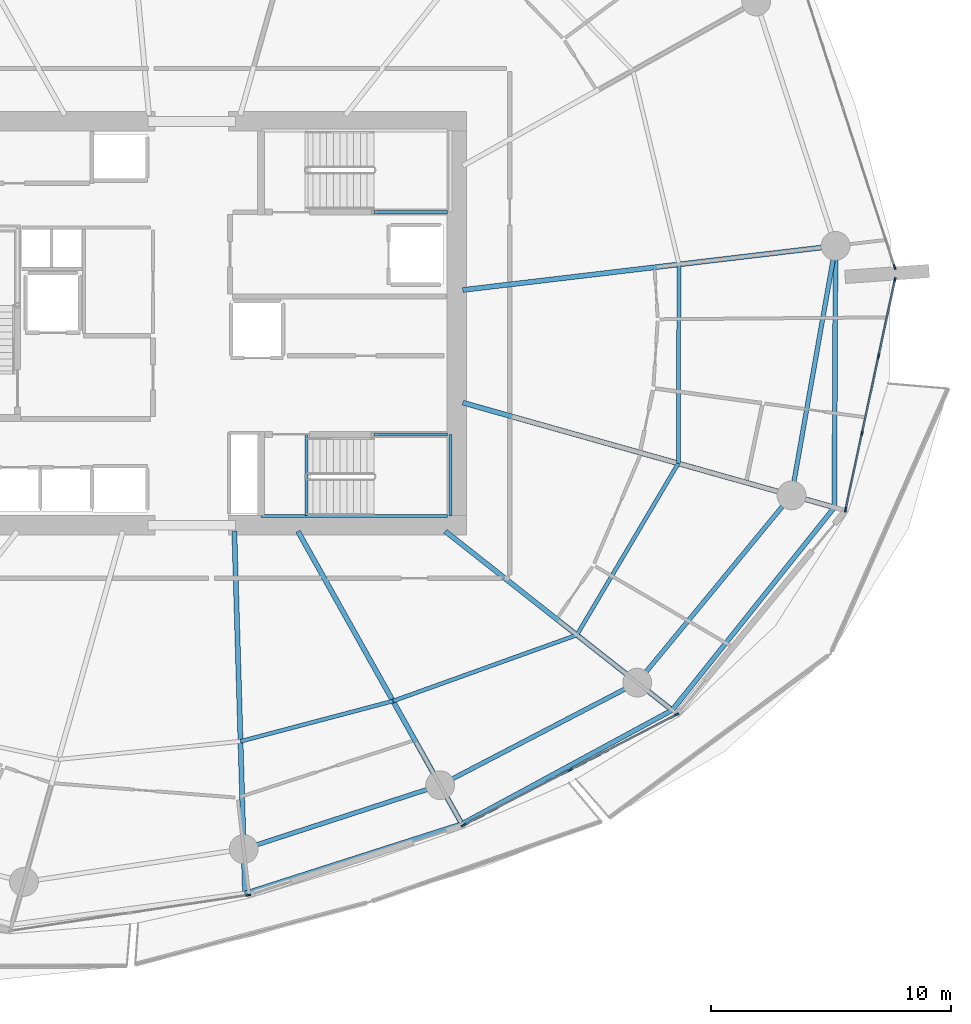
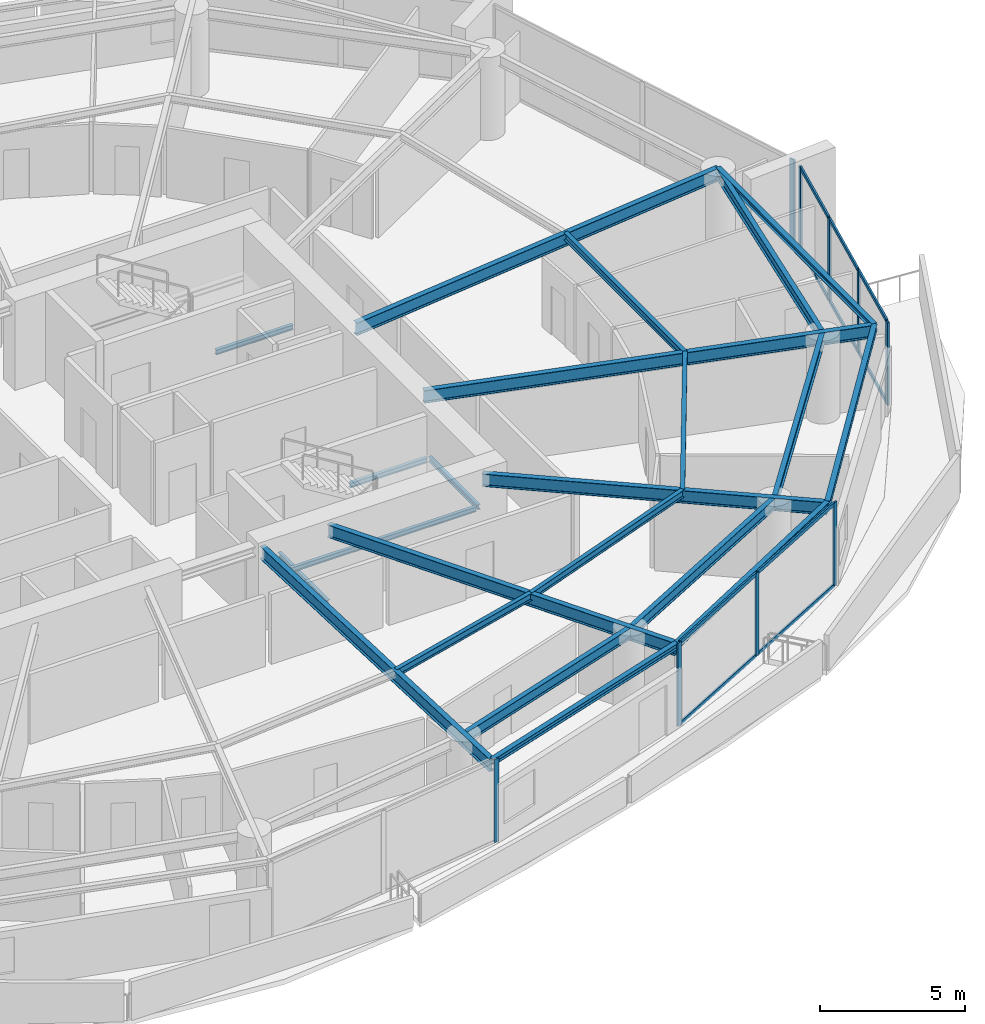
# One storey, part 7 of 22: 22 beams, 19 members, 4 elements without a shape of their own.
"""IFC4 building model written with IfcOpenShell, lengths in metres."""

import ifcopenshell
import ifcopenshell.guid

model = None  # the IFC model being written
_history = None  # IfcOwnerHistory: only IFC2X3 demands one
_inside = {}  # id of a spatial element -> (the spatial element, [elements in it])
_under = {}  # id of a project, library or spatial element -> (it, [spatial elements below it])
_declared = {}  # id of a project -> (the project, [libraries it declares])
_typed = {}  # id of a type object -> (the type object, [elements of that type])
_made_of = {}  # id of a material, layer set ... -> (it, [elements and type objects made of it])


def new_model(schema):
    """Start an empty IFC model of exactly this schema.

    Asked for "IFC4X3", IfcOpenShell would pick the latest addendum, in which some entities
    have other attributes; the version numbers below select the first issue.
    IFC2X3 requires an IfcOwnerHistory on every rooted entity: one is made here for all.
    """
    global model, _history
    if schema == "IFC4X3":
        model = ifcopenshell.file(schema_version=(4, 3, 0, 0))
    else:
        model = ifcopenshell.file(schema=schema)
    _inside.clear()
    _under.clear()
    _declared.clear()
    _typed.clear()
    _made_of.clear()
    _history = None
    if model.schema == "IFC2X3":
        org = make("IfcOrganization", Name="unknown")
        user = make(
            "IfcPersonAndOrganization",
            ThePerson=make("IfcPerson", FamilyName="unknown"),
            TheOrganization=org,
        )
        app = make(
            "IfcApplication",
            ApplicationDeveloper=org,
            Version="unknown",
            ApplicationFullName="unknown",
            ApplicationIdentifier="unknown",
        )
        _history = make(
            "IfcOwnerHistory",
            OwningUser=user,
            OwningApplication=app,
            ChangeAction="ADDED",
            CreationDate=0,
        )
    return model


def make(cls, **values):
    """One entity of the class cls with the attributes given. An attribute that is None is left unset."""
    return model.create_entity(
        cls, **{name: value for name, value in values.items() if value is not None}
    )


def rooted(cls, **values):
    """An entity with a GlobalId (a new one), such as an element, a storey or a relation."""
    return make(cls, GlobalId=ifcopenshell.guid.new(), OwnerHistory=_history, **values)


def si_unit(unit_type, name, prefix=None):
    """IfcSIUnit, for example si_unit("LENGTHUNIT", "METRE", prefix="MILLI")."""
    return make("IfcSIUnit", UnitType=unit_type, Prefix=prefix, Name=name)


def assignment(units):
    """IfcUnitAssignment: the units of a project."""
    return None if units is None else make("IfcUnitAssignment", Units=units)


def point(xyz):
    """IfcCartesianPoint."""
    return None if xyz is None else make("IfcCartesianPoint", Coordinates=xyz)


def direction(xyz):
    """IfcDirection."""
    return None if xyz is None else make("IfcDirection", DirectionRatios=xyz)


def frame(location, z_axis=None, x_axis=None):
    """IfcAxis2Placement3D, a coordinate frame: its origin and axes. An axis left out is left unset."""
    return make(
        "IfcAxis2Placement3D",
        Location=point(location),
        Axis=direction(z_axis),
        RefDirection=direction(x_axis),
    )


def frame_2d(location, x_axis=None):
    """IfcAxis2Placement2D, a coordinate frame in the plane: its origin and x axis."""
    return make(
        "IfcAxis2Placement2D", Location=point(location), RefDirection=direction(x_axis)
    )


def origin():
    """The frame at (0, 0, 0) with its axes left unset."""
    return frame((0.0, 0.0, 0.0))


def origin_2d():
    """The frame at (0, 0) in the plane with its x axis left unset."""
    return frame_2d((0.0, 0.0))


def place(relative_to, where):
    """IfcLocalPlacement: puts the frame where relative to a parent placement (None: the world)."""
    return make(
        "IfcLocalPlacement", PlacementRelTo=relative_to, RelativePlacement=where
    )


def context(
    kind, dimensions, precision=None, world=None, true_north=None, identifier=None
):
    """IfcGeometricRepresentationContext, for example the 3D "Model" context."""
    return make(
        "IfcGeometricRepresentationContext",
        ContextIdentifier=identifier,
        ContextType=kind,
        CoordinateSpaceDimension=dimensions,
        Precision=precision,
        WorldCoordinateSystem=world,
        TrueNorth=true_north,
    )


def subcontext(parent, identifier, kind, view, scale=None):
    """IfcGeometricRepresentationSubContext, for example "Body" below "Model"."""
    return make(
        "IfcGeometricRepresentationSubContext",
        ContextIdentifier=identifier,
        ContextType=kind,
        ParentContext=parent,
        TargetScale=scale,
        TargetView=view,
    )


def project(units=None, contexts=None):
    """IfcProject with its units and contexts."""
    return rooted(
        "IfcProject",
        Name="project",
        RepresentationContexts=contexts,
        UnitsInContext=assignment(units),
    )


def spatial(cls, under=None, at=None, **own):
    """A site, building, storey or space (cls), placed at a placement, below another one or the project."""
    s = rooted(cls, ObjectPlacement=at, **own)
    if under is not None:
        _under.setdefault(under.id(), (under, []))[1].append(s)
    return s


def profile(cls, at=None, kind="AREA", **sizes):
    """A parametric profile (cls). Its sizes go by their IFC names, for example OverallWidth=200.0."""
    return make(cls, ProfileType=kind, Position=at, **sizes)


def rectangle(**sizes):
    """IfcRectangleProfileDef."""
    return profile("IfcRectangleProfileDef", **sizes)


def i_section(**sizes):
    """IfcIShapeProfileDef."""
    return profile("IfcIShapeProfileDef", **sizes)


def extrude(swept, where, along, depth):
    """IfcExtrudedAreaSolid: the profile swept, set in the frame where, extruded along a direction by depth."""
    return make(
        "IfcExtrudedAreaSolid",
        SweptArea=swept,
        Position=where,
        ExtrudedDirection=direction(along),
        Depth=depth,
    )


def shape(context_of_items, identifier, shape_type, items):
    """IfcShapeRepresentation: the items that make up one representation, for example the "Body"."""
    return make(
        "IfcShapeRepresentation",
        ContextOfItems=context_of_items,
        RepresentationIdentifier=identifier,
        RepresentationType=shape_type,
        Items=items,
    )


def material(Name=None, Category=None):
    """IfcMaterial."""
    return make("IfcMaterial", Name=Name, Category=Category)


def layer(
    of_material, thickness, ventilated=None, Name=None, Category=None, Priority=None
):
    """IfcMaterialLayer: one layer of a wall or slab, of a material (None: an air gap)."""
    return make(
        "IfcMaterialLayer",
        Material=of_material,
        LayerThickness=thickness,
        IsVentilated=ventilated,
        Name=Name,
        Category=Category,
        Priority=Priority,
    )


def layer_set(layers, Name=None):
    """IfcMaterialLayerSet."""
    return make("IfcMaterialLayerSet", MaterialLayers=layers, LayerSetName=Name)


def material_profile(
    of_material, cross_section, Name=None, Category=None, Priority=None
):
    """IfcMaterialProfile: a cross section and its material."""
    return make(
        "IfcMaterialProfile",
        Name=Name,
        Material=of_material,
        Profile=cross_section,
        Priority=Priority,
        Category=Category,
    )


def profile_set(profiles, Name=None, composite=None):
    """IfcMaterialProfileSet."""
    return make(
        "IfcMaterialProfileSet",
        Name=Name,
        MaterialProfiles=profiles,
        CompositeProfile=composite,
    )


def made_of(thing, what):
    """Note that an element or type object is made of a material, layer set ...; save() writes the relation."""
    if what is not None:
        _made_of.setdefault(what.id(), (what, []))[1].append(thing)
    return thing


def type_object(cls, material=None, **own):
    """A type object (cls), such as IfcWallType, which elements share."""
    return made_of(rooted(cls, **own), material)


def element(
    cls,
    number,
    at=None,
    inside=None,
    cuts=None,
    type_object=None,
    material=None,
    context=None,
    identifier="Body",
    shape_type=None,
    held_by="IfcProductDefinitionShape",
    body=None,
    shapes=None,
    **own,
):
    """One element of the class cls, such as IfcWall. Its Tag is "e" and its number.

    at: its placement. inside: the storey or other place that contains it. cuts: it is an
    opening in that element (IfcRelVoidsElement). A single representation is given by context,
    identifier, shape_type and body (its items); several are given by shapes. held_by: the class
    of the entity that holds the representations. save() writes the other relations.
    """
    e = rooted(cls, Tag="e%d" % number, ObjectPlacement=at, **own)
    if body is not None:
        shapes = [shape(context, identifier, shape_type, body)]
    if shapes is not None:
        e.Representation = make(held_by, Representations=shapes)
    if inside is not None:
        _inside.setdefault(inside.id(), (inside, []))[1].append(e)
    if cuts is not None:
        rooted(
            "IfcRelVoidsElement", RelatingBuildingElement=cuts, RelatedOpeningElement=e
        )
    if type_object is not None:
        _typed.setdefault(type_object.id(), (type_object, []))[1].append(e)
    return made_of(e, material)


def aggregate(whole, parts):
    """IfcRelAggregates: a whole, such as a stair, and the parts it consists of."""
    return rooted("IfcRelAggregates", RelatingObject=whole, RelatedObjects=parts)


def save(model, path):
    """Write the relations noted so far, then the file.

    IfcRelAggregates (storeys below a building ...), IfcRelContainedInSpatialStructure (elements
    in a storey), IfcRelDefinesByType, IfcRelAssociatesMaterial and IfcRelDeclares: one each for
    every whole, place, type object, material and project.
    """
    for whole, parts in _under.values():
        aggregate(whole, parts)
    for where, things in _inside.values():
        rooted(
            "IfcRelContainedInSpatialStructure",
            RelatedElements=things,
            RelatingStructure=where,
        )
    for kind, things in _typed.values():
        rooted("IfcRelDefinesByType", RelatedObjects=things, RelatingType=kind)
    for what, things in _made_of.values():
        rooted("IfcRelAssociatesMaterial", RelatedObjects=things, RelatingMaterial=what)
    for by, libraries in _declared.values():
        rooted("IfcRelDeclares", RelatingContext=by, RelatedDefinitions=libraries)
    model.write(path)


model = new_model("IFC4")

# Units and contexts
model_context = context("Model", 3, precision=1e-05, world=origin(), true_north=direction((0.0, 1.0)))
body_context = subcontext(model_context, "Body", "Model", "MODEL_VIEW")
ifc_project = project(units=[si_unit("LENGTHUNIT", "METRE"), si_unit("AREAUNIT", "SQUARE_METRE"), si_unit("VOLUMEUNIT", "CUBIC_METRE"), si_unit("PLANEANGLEUNIT", "RADIAN"), si_unit("MASSUNIT", "GRAM", prefix="KILO")], contexts=[model_context])

# Site, building, storey
site_placement = place(None, origin())
site = spatial("IfcSite", under=ifc_project, at=site_placement, CompositionType="ELEMENT")
building_placement = place(site_placement, origin())
building = spatial("IfcBuilding", under=site, at=building_placement, Name="Kazma Halo Residences", CompositionType="ELEMENT")
storey_placement = place(building_placement, frame((0.0, 0.0, 90.14990234375)))
storey = spatial("IfcBuildingStorey", under=building, at=storey_placement, Name="L22", CompositionType="ELEMENT", Elevation=90.14990234375)

# Beams
ifc_material_1 = material(Name="Steel S355", Category="steel")
ifc_material_profile_1 = material_profile(ifc_material_1, i_section(OverallWidth=0.201904296875, OverallDepth=0.2470703125, WebThickness=0.00732421875, FlangeThickness=0.010986328125, FilletRadius=0.011962890625, at=origin_2d()), Name="W250x49.1")
ifc_profile_set_1 = profile_set([ifc_material_profile_1], Name="Steel S355")
beam_type_1 = type_object("IfcBeamType", Name="BM-BAL-CANT", PredefinedType="BEAM", material=ifc_profile_set_1)
beam_1_placement = place(storey_placement, frame((50.642578125, 18.28173828125, 3.376708984375), z_axis=(0.952319061301, 0.305103925709, 0.0), x_axis=(-0.305103925709, 0.952319061301, 0.0)))
element("IfcBeam", 1, at=beam_1_placement, inside=storey, type_object=beam_type_1, Name="L22 wave-balcony tie beam 12", PredefinedType="BEAM", context=body_context, shape_type="SweptSolid", body=[
    extrude(i_section(OverallWidth=0.201904296875, OverallDepth=0.2470703125, WebThickness=0.00732421875, FlangeThickness=0.010986328125, FilletRadius=0.011962890625, at=origin_2d()), origin(), (0.0, 0.0, 1.0), 9.473388671875),
])
beam_2_placement = place(storey_placement, frame((59.664306640625, 21.172119140625, 3.376708984375), z_axis=(0.87930438671, 0.476260218276, 0.0), x_axis=(-0.476260218276, 0.87930438671, 0.0)))
element("IfcBeam", 2, at=beam_2_placement, inside=storey, type_object=beam_type_1, Name="L22 wave-balcony tie beam 13", PredefinedType="BEAM", context=body_context, shape_type="SweptSolid", body=[
    extrude(i_section(OverallWidth=0.201904296875, OverallDepth=0.2470703125, WebThickness=0.00732421875, FlangeThickness=0.010986328125, FilletRadius=0.011962890625, at=origin_2d()), origin(), (0.0, 0.0, 1.0), 9.94677734375),
])
beam_3_placement = place(storey_placement, frame((68.41064453125, 25.909423828125, 3.376708984375), z_axis=(0.62477775999, 0.78080263231, 0.0), x_axis=(-0.78080263231, 0.62477775999, 0.0)))
element("IfcBeam", 3, at=beam_3_placement, inside=storey, type_object=beam_type_1, Name="L22 wave-balcony tie beam 14", PredefinedType="BEAM", context=body_context, shape_type="SweptSolid", body=[
    extrude(i_section(OverallWidth=0.201904296875, OverallDepth=0.2470703125, WebThickness=0.00732421875, FlangeThickness=0.010986328125, FilletRadius=0.011962890625, at=origin_2d()), origin(), (0.0, 0.0, 1.0), 10.79833984375),
])
beam_4_placement = place(storey_placement, frame((75.1572265625, 34.3408203125, 3.376708984375), z_axis=(0.004532963616, 0.999989726068, 0.0), x_axis=(-0.999989726068, 0.004532963616, 0.0)))
element("IfcBeam", 4, at=beam_4_placement, inside=storey, type_object=beam_type_1, Name="L22 wave-balcony tie beam 15", PredefinedType="BEAM", context=body_context, shape_type="SweptSolid", body=[
    extrude(i_section(OverallWidth=0.201904296875, OverallDepth=0.2470703125, WebThickness=0.00732421875, FlangeThickness=0.010986328125, FilletRadius=0.011962890625, at=origin_2d()), origin(), (0.0, 0.0, 1.0), 10.87939453125),
])
ifc_material_profile_2 = material_profile(ifc_material_1, i_section(OverallWidth=0.208984375, OverallDepth=0.532958984375, WebThickness=0.01025390625, FlangeThickness=0.015625, FilletRadius=0.01611328125, at=origin_2d()), Name="W530x92")
ifc_profile_set_2 = profile_set([ifc_material_profile_2], Name="Steel S355")
beam_type_2 = type_object("IfcBeamType", Name="BM-RAD-W530", PredefinedType="BEAM", material=ifc_profile_set_2)
beam_5_placement = place(storey_placement, frame((50.199951171875, 33.35009765625, 3.233642578125), z_axis=(0.029361929959, -0.999568845587, 0.0), x_axis=(0.999568845587, 0.029361929959, 0.0)))
element("IfcBeam", 5, at=beam_5_placement, inside=storey, type_object=beam_type_2, Name="L22 radial floor beam 12", PredefinedType="BEAM", context=body_context, shape_type="SweptSolid", body=[
    extrude(i_section(OverallWidth=0.208984375, OverallDepth=0.532958984375, WebThickness=0.01025390625, FlangeThickness=0.015625, FilletRadius=0.01611328125, at=origin_2d()), origin(), (0.0, 0.0, 1.0), 15.074951171875),
])
beam_6_placement = place(storey_placement, frame((52.84423828125, 33.35009765625, 3.233642578125), z_axis=(0.488625206529, -0.872493786536, 0.0), x_axis=(0.872493786536, 0.488625206529, 0.0)))
element("IfcBeam", 6, at=beam_6_placement, inside=storey, type_object=beam_type_2, Name="L22 radial floor beam 13", PredefinedType="BEAM", context=body_context, shape_type="SweptSolid", body=[
    extrude(i_section(OverallWidth=0.208984375, OverallDepth=0.532958984375, WebThickness=0.01025390625, FlangeThickness=0.015625, FilletRadius=0.01611328125, at=origin_2d()), origin(), (0.0, 0.0, 1.0), 13.957763671875),
])
beam_7_placement = place(storey_placement, frame((58.972412109375, 33.35009765625, 3.233642578125), z_axis=(0.785309999923, -0.619102741086, 0.0), x_axis=(0.619102741086, 0.785309999923, 0.0)))
element("IfcBeam", 7, at=beam_7_placement, inside=storey, type_object=beam_type_2, Name="L22 radial floor beam 14", PredefinedType="BEAM", context=body_context, shape_type="SweptSolid", body=[
    extrude(i_section(OverallWidth=0.208984375, OverallDepth=0.532958984375, WebThickness=0.01025390625, FlangeThickness=0.015625, FilletRadius=0.01611328125, at=origin_2d()), origin(), (0.0, 0.0, 1.0), 12.0185546875),
])
beam_8_placement = place(storey_placement, frame((59.699951171875, 38.7001953125, 3.233642578125), z_axis=(0.962455684158, -0.271438862419, 0.0), x_axis=(0.271438862419, 0.962455684158, 0.0)))
element("IfcBeam", 8, at=beam_8_placement, inside=storey, type_object=beam_type_2, Name="L22 radial floor beam 15", PredefinedType="BEAM", context=body_context, shape_type="SweptSolid", body=[
    extrude(i_section(OverallWidth=0.208984375, OverallDepth=0.532958984375, WebThickness=0.01025390625, FlangeThickness=0.015625, FilletRadius=0.01611328125, at=origin_2d()), origin(), (0.0, 0.0, 1.0), 16.060302734375),
])
beam_9_placement = place(storey_placement, frame((59.699951171875, 43.384765625, 3.233642578125), z_axis=(0.993067536486, 0.1175451742, 0.0), x_axis=(-0.1175451742, 0.993067536486, 0.0)))
element("IfcBeam", 9, at=beam_9_placement, inside=storey, type_object=beam_type_2, Name="L22 radial floor beam 16", PredefinedType="BEAM", context=body_context, shape_type="SweptSolid", body=[
    extrude(i_section(OverallWidth=0.208984375, OverallDepth=0.532958984375, WebThickness=0.01025390625, FlangeThickness=0.015625, FilletRadius=0.01611328125, at=origin_2d()), origin(), (0.0, 0.0, 1.0), 15.61474609375),
])
ifc_material_profile_3 = material_profile(ifc_material_1, i_section(OverallWidth=0.1650390625, OverallDepth=0.31005859375, WebThickness=0.005859375, FlangeThickness=0.009765625, FilletRadius=0.011962890625, at=origin_2d()), Name="W310x38.7")
ifc_profile_set_3 = profile_set([ifc_material_profile_3], Name="Steel S355")
beam_type_3 = type_object("IfcBeamType", Name="BM-SEC-W310B", PredefinedType="JOIST", material=ifc_profile_set_3)
beam_10_placement = place(storey_placement, frame((50.456787109375, 24.6103515625, 3.34521484375), z_axis=(0.966800191214, 0.255533540398, 0.0), x_axis=(-0.255533540398, 0.966800191214, 0.0)))
element("IfcBeam", 10, at=beam_10_placement, inside=storey, type_object=beam_type_3, Name="L22 circumferential floor joist 12", PredefinedType="JOIST", context=body_context, shape_type="SweptSolid", body=[
    extrude(i_section(OverallWidth=0.1650390625, OverallDepth=0.31005859375, WebThickness=0.005859375, FlangeThickness=0.009765625, FilletRadius=0.011962890625, at=origin_2d()), origin(), (0.0, 0.0, 1.0), 6.560791015625),
])
beam_11_placement = place(storey_placement, frame((56.7998046875, 26.286865234375, 3.34521484375), z_axis=(0.941097126818, 0.338136359913, 0.0), x_axis=(-0.338136359913, 0.941097126818, 0.0)))
element("IfcBeam", 11, at=beam_11_placement, inside=storey, type_object=beam_type_3, Name="L22 circumferential floor joist 13", PredefinedType="JOIST", context=body_context, shape_type="SweptSolid", body=[
    extrude(i_section(OverallWidth=0.1650390625, OverallDepth=0.31005859375, WebThickness=0.005859375, FlangeThickness=0.009765625, FilletRadius=0.011962890625, at=origin_2d()), origin(), (0.0, 0.0, 1.0), 8.12548828125),
])
beam_12_placement = place(storey_placement, frame((64.44677734375, 29.034423828125, 3.34521484375), z_axis=(0.508811652677, 0.860877867122, 0.0), x_axis=(-0.860877867122, 0.508811652677, 0.0)))
element("IfcBeam", 12, at=beam_12_placement, inside=storey, type_object=beam_type_3, Name="L22 circumferential floor joist 14", PredefinedType="JOIST", context=body_context, shape_type="SweptSolid", body=[
    extrude(i_section(OverallWidth=0.1650390625, OverallDepth=0.31005859375, WebThickness=0.005859375, FlangeThickness=0.009765625, FilletRadius=0.011962890625, at=origin_2d()), origin(), (0.0, 0.0, 1.0), 8.291015625),
])
beam_13_placement = place(storey_placement, frame((68.665283203125, 36.171875, 3.34521484375), z_axis=(0.003450899697, 0.999994045628, 0.0), x_axis=(-0.999994045628, 0.003450899697, 0.0)))
element("IfcBeam", 13, at=beam_13_placement, inside=storey, type_object=beam_type_3, Name="L22 circumferential floor joist 15", PredefinedType="JOIST", context=body_context, shape_type="SweptSolid", body=[
    extrude(i_section(OverallWidth=0.1650390625, OverallDepth=0.31005859375, WebThickness=0.005859375, FlangeThickness=0.009765625, FilletRadius=0.011962890625, at=origin_2d()), origin(), (0.0, 0.0, 1.0), 8.27734375),
])
ifc_material_profile_4 = material_profile(ifc_material_1, i_section(OverallWidth=0.18994140625, OverallDepth=0.45703125, WebThickness=0.009033203125, FlangeThickness=0.014404296875, FilletRadius=0.01611328125, at=origin_2d()), Name="W460x74")
ifc_profile_set_4 = profile_set([ifc_material_profile_4], Name="Steel S355")
beam_type_4 = type_object("IfcBeamType", Name="BM-SPN-W460", PredefinedType="BEAM", material=ifc_profile_set_4)
beam_14_placement = place(storey_placement, frame((50.58837890625, 20.130859375, 3.271484375), z_axis=(0.951054111927, 0.30902439416, 0.0), x_axis=(-0.30902439416, 0.951054111927, 0.0)))
element("IfcBeam", 14, at=beam_14_placement, inside=storey, type_object=beam_type_4, Name="L22 perimeter ring beam 12", PredefinedType="BEAM", context=body_context, shape_type="SweptSolid", body=[
    extrude(i_section(OverallWidth=0.18994140625, OverallDepth=0.45703125, WebThickness=0.009033203125, FlangeThickness=0.014404296875, FilletRadius=0.01611328125, at=origin_2d()), origin(), (0.0, 0.0, 1.0), 8.592529296875),
])
beam_15_placement = place(storey_placement, frame((58.76025390625, 22.7861328125, 3.271484375), z_axis=(0.886963229644, 0.461840047266, 0.0), x_axis=(-0.461840047266, 0.886963229644, 0.0)))
element("IfcBeam", 15, at=beam_15_placement, inside=storey, type_object=beam_type_4, Name="L22 perimeter ring beam 13", PredefinedType="BEAM", context=body_context, shape_type="SweptSolid", body=[
    extrude(i_section(OverallWidth=0.18994140625, OverallDepth=0.45703125, WebThickness=0.009033203125, FlangeThickness=0.014404296875, FilletRadius=0.01611328125, at=origin_2d()), origin(), (0.0, 0.0, 1.0), 9.242431640625),
])
beam_16_placement = place(storey_placement, frame((66.9580078125, 27.0546875, 3.271484375), z_axis=(0.635989564566, 0.771697656963, 0.0), x_axis=(-0.771697656963, 0.635989564566, 0.0)))
element("IfcBeam", 16, at=beam_16_placement, inside=storey, type_object=beam_type_4, Name="L22 perimeter ring beam 14", PredefinedType="BEAM", context=body_context, shape_type="SweptSolid", body=[
    extrude(i_section(OverallWidth=0.18994140625, OverallDepth=0.45703125, WebThickness=0.009033203125, FlangeThickness=0.014404296875, FilletRadius=0.01611328125, at=origin_2d()), origin(), (0.0, 0.0, 1.0), 10.092529296875),
])
beam_17_placement = place(storey_placement, frame((73.376708984375, 34.843017578125, 3.271484375), z_axis=(0.173653159051, 0.984806874647, 0.0), x_axis=(-0.984806874647, 0.173653159051, 0.0)))
element("IfcBeam", 17, at=beam_17_placement, inside=storey, type_object=beam_type_4, Name="L22 perimeter ring beam 15", PredefinedType="BEAM", context=body_context, shape_type="SweptSolid", body=[
    extrude(i_section(OverallWidth=0.18994140625, OverallDepth=0.45703125, WebThickness=0.009033203125, FlangeThickness=0.014404296875, FilletRadius=0.01611328125, at=origin_2d()), origin(), (0.0, 0.0, 1.0), 10.537353515625),
])
ifc_material_profile_5 = material_profile(ifc_material_1, i_section(OverallWidth=0.133056640625, OverallDepth=0.20703125, WebThickness=0.005859375, FlangeThickness=0.00830078125, FilletRadius=0.010009765625, at=origin_2d()), Name="W200x26.6")
ifc_profile_set_5 = profile_set([ifc_material_profile_5], Name="Steel S355")
beam_type_5 = type_object("IfcBeamType", Name="BM-TRIM-W200", PredefinedType="BEAM", material=ifc_profile_set_5)
beam_18_placement = place(storey_placement, frame((53.199951171875, 34.0, -0.35986328125), z_axis=(0.0, 1.0, 0.0), x_axis=(-1.0, 0.0, 0.0)))
element("IfcBeam", 18, at=beam_18_placement, inside=storey, type_object=beam_type_5, Name="L22 ST-03 floor landing support beam", PredefinedType="BEAM", context=body_context, shape_type="SweptSolid", body=[
    extrude(i_section(OverallWidth=0.133056640625, OverallDepth=0.20703125, WebThickness=0.005859375, FlangeThickness=0.00830078125, FilletRadius=0.010009765625, at=origin_2d()), origin(), (0.0, 0.0, 1.0), 3.3798828125),
])
beam_19_placement = place(storey_placement, frame((56.0, 46.6201171875, 1.570068359375), z_axis=(1.0, 0.0, 0.0), x_axis=(0.0, 1.0, 0.0)))
element("IfcBeam", 19, at=beam_19_placement, inside=storey, type_object=beam_type_5, Name="L22 ST-02 landing south wall ledger", PredefinedType="BEAM", context=body_context, shape_type="SweptSolid", body=[
    extrude(i_section(OverallWidth=0.133056640625, OverallDepth=0.20703125, WebThickness=0.005859375, FlangeThickness=0.00830078125, FilletRadius=0.010009765625, at=origin_2d()), origin(), (0.0, 0.0, 1.0), 3.070068359375),
])
beam_20_placement = place(storey_placement, frame((51.31005859375, 33.97998046875, 1.570068359375), z_axis=(1.0, 0.0, 0.0), x_axis=(0.0, 1.0, 0.0)))
element("IfcBeam", 20, at=beam_20_placement, inside=storey, type_object=beam_type_5, Name="L22 ST-03 landing south wall ledger", PredefinedType="BEAM", context=body_context, shape_type="SweptSolid", body=[
    extrude(i_section(OverallWidth=0.133056640625, OverallDepth=0.20703125, WebThickness=0.005859375, FlangeThickness=0.00830078125, FilletRadius=0.010009765625, at=origin_2d()), origin(), (0.0, 0.0, 1.0), 7.760009765625),
])
beam_21_placement = place(storey_placement, frame((56.0, 37.3798828125, 1.570068359375), z_axis=(1.0, 0.0, 0.0), x_axis=(0.0, 1.0, 0.0)))
element("IfcBeam", 21, at=beam_21_placement, inside=storey, type_object=beam_type_5, Name="L22 ST-03 landing north wall ledger", PredefinedType="BEAM", context=body_context, shape_type="SweptSolid", body=[
    extrude(i_section(OverallWidth=0.133056640625, OverallDepth=0.20703125, WebThickness=0.005859375, FlangeThickness=0.00830078125, FilletRadius=0.010009765625, at=origin_2d()), origin(), (0.0, 0.0, 1.0), 3.070068359375),
])
beam_22_placement = place(storey_placement, frame((59.18994140625, 33.97998046875, 1.570068359375), z_axis=(0.0, 1.0, 0.0), x_axis=(-1.0, 0.0, 0.0)))
element("IfcBeam", 22, at=beam_22_placement, inside=storey, type_object=beam_type_5, Name="L22 ST-03 landing end wall ledger", PredefinedType="BEAM", context=body_context, shape_type="SweptSolid", body=[
    extrude(i_section(OverallWidth=0.133056640625, OverallDepth=0.20703125, WebThickness=0.005859375, FlangeThickness=0.00830078125, FilletRadius=0.010009765625, at=origin_2d()), origin(), (0.0, 0.0, 1.0), 3.39990234375),
])

# Curtain wall, member
ifc_material_2 = material(Name="Aluminium AW-6063 T6 and Triple-Silver Low-E Glass", Category="aluminium")
ifc_layer = layer(ifc_material_2, 0.199951171875)
ifc_layer_set = layer_set([ifc_layer], Name="Aluminium AW-6063 T6 and Triple-Silver Low-E Glass")
curtain_wall_type = type_object("IfcCurtainWallType", Name="CW-SYS-3", PredefinedType="NOTDEFINED", material=ifc_layer_set)
curtain_wall_1_placement = place(storey_placement, origin())
curtain_wall_1 = element("IfcCurtainWall", 23, at=curtain_wall_1_placement, inside=storey, type_object=curtain_wall_type, Name="L22 unitised curtain wall B11", PredefinedType="NOTDEFINED")
ifc_material_3 = material(Name="Aluminium AW-6063 T6", Category="aluminium")
ifc_material_profile_6 = material_profile(ifc_material_3, rectangle(XDim=0.070068359375, YDim=0.199951171875, at=origin_2d()), Name="CWM-70x200")
ifc_profile_set_6 = profile_set([ifc_material_profile_6], Name="Aluminium AW-6063 T6")
member_type_1 = type_object("IfcMemberType", Name="CW-SYS-3-MUL", PredefinedType="MULLION", material=ifc_profile_set_6)
member_1_placement = place(storey_placement, frame((50.780029296875, 18.21337890625, 0.0), z_axis=(0.0, 0.0, 1.0), x_axis=(-0.148717330409, 0.988879747814, 0.0)))
member_1 = element("IfcMember", 24, at=member_1_placement, type_object=member_type_1, Name="CWS-3 mullion 3", PredefinedType="MULLION", context=body_context, shape_type="SweptSolid", body=[
    extrude(rectangle(XDim=0.070068359375, YDim=0.199951171875, at=origin_2d()), origin(), (0.0, 0.0, 1.0), 3.5),
])
aggregate(curtain_wall_1, [member_1])

# Curtain wall, members
curtain_wall_2_placement = place(storey_placement, origin())
curtain_wall_2 = element("IfcCurtainWall", 25, at=curtain_wall_2_placement, inside=storey, type_object=curtain_wall_type, Name="L22 unitised curtain wall B13", PredefinedType="NOTDEFINED")
member_2_placement = place(storey_placement, frame((59.732177734375, 21.1220703125, 0.0), z_axis=(0.0, 0.0, 1.0), x_axis=(-0.460932159481, 0.887435374749, 0.0)))
member_2 = element("IfcMember", 26, at=member_2_placement, type_object=member_type_1, Name="CWS-3 mullion 1", PredefinedType="MULLION", context=body_context, shape_type="SweptSolid", body=[
    extrude(rectangle(XDim=0.070068359375, YDim=0.199951171875, at=origin_2d()), origin(), (0.0, 0.0, 1.0), 3.5),
])
member_3_placement = place(storey_placement, frame((64.1630859375, 23.42333984375, 0.0), z_axis=(0.0, 0.0, 1.0), x_axis=(-0.460932159481, 0.887435374749, 0.0)))
member_3 = element("IfcMember", 27, at=member_3_placement, type_object=member_type_1, Name="CWS-3 mullion 2", PredefinedType="MULLION", context=body_context, shape_type="SweptSolid", body=[
    extrude(rectangle(XDim=0.070068359375, YDim=0.199951171875, at=origin_2d()), origin(), (0.0, 0.0, 1.0), 3.5),
])
member_4_placement = place(storey_placement, frame((68.59375, 25.724609375, 0.0), z_axis=(0.0, 0.0, 1.0), x_axis=(-0.460932159481, 0.887435374749, 0.0)))
member_4 = element("IfcMember", 28, at=member_4_placement, type_object=member_type_1, Name="CWS-3 mullion 3", PredefinedType="MULLION", context=body_context, shape_type="SweptSolid", body=[
    extrude(rectangle(XDim=0.070068359375, YDim=0.199951171875, at=origin_2d()), origin(), (0.0, 0.0, 1.0), 3.5),
])

curtain_wall_3_placement = place(storey_placement, origin())
curtain_wall_3 = element("IfcCurtainWall", 29, at=curtain_wall_3_placement, inside=storey, type_object=curtain_wall_type, Name="L22 unitised curtain wall B15", PredefinedType="NOTDEFINED")
member_5_placement = place(storey_placement, frame((75.6259765625, 34.244873046875, 0.0), z_axis=(0.0, 0.0, 1.0), x_axis=(-0.977774176093, 0.209660822677, 0.0)))
member_5 = element("IfcMember", 30, at=member_5_placement, type_object=member_type_1, Name="CWS-3 mullion 1", PredefinedType="MULLION", context=body_context, shape_type="SweptSolid", body=[
    extrude(rectangle(XDim=0.070068359375, YDim=0.199951171875, at=origin_2d()), origin(), (0.0, 0.0, 1.0), 3.5),
])
member_6_placement = place(storey_placement, frame((76.30712890625, 37.4208984375, 0.0), z_axis=(0.0, 0.0, 1.0), x_axis=(-0.977774176093, 0.209660822677, 0.0)))
member_6 = element("IfcMember", 31, at=member_6_placement, type_object=member_type_1, Name="CWS-3 mullion 2", PredefinedType="MULLION", context=body_context, shape_type="SweptSolid", body=[
    extrude(rectangle(XDim=0.070068359375, YDim=0.199951171875, at=origin_2d()), origin(), (0.0, 0.0, 1.0), 3.5),
])
member_7_placement = place(storey_placement, frame((76.995361328125, 40.63134765625, 0.0), z_axis=(0.0, 0.0, 1.0), x_axis=(-0.977774176093, 0.209660822677, 0.0)))
member_7 = element("IfcMember", 32, at=member_7_placement, type_object=member_type_1, Name="CWS-3 mullion 3", PredefinedType="MULLION", context=body_context, shape_type="SweptSolid", body=[
    extrude(rectangle(XDim=0.070068359375, YDim=0.199951171875, at=origin_2d()), origin(), (0.0, 0.0, 1.0), 3.5),
])
member_8_placement = place(storey_placement, frame((77.676513671875, 43.807373046875, 0.0), z_axis=(0.0, 0.0, 1.0), x_axis=(-0.977774176093, 0.209660822677, 0.0)))
member_8 = element("IfcMember", 33, at=member_8_placement, type_object=member_type_1, Name="CWS-3 mullion 4", PredefinedType="MULLION", context=body_context, shape_type="SweptSolid", body=[
    extrude(rectangle(XDim=0.070068359375, YDim=0.199951171875, at=origin_2d()), origin(), (0.0, 0.0, 1.0), 3.5),
])

# Curtain wall, member
curtain_wall_4_placement = place(storey_placement, origin())
curtain_wall_4 = element("IfcCurtainWall", 34, at=curtain_wall_4_placement, inside=storey, type_object=curtain_wall_type, Name="L22 unitised curtain wall B16", PredefinedType="NOTDEFINED")
member_9_placement = place(storey_placement, frame((77.665283203125, 44.3427734375, 0.0), z_axis=(0.0, 0.0, 1.0), x_axis=(-0.951057722508, -0.309013282008, 0.0)))
member_9 = element("IfcMember", 35, at=member_9_placement, type_object=member_type_1, Name="CWS-3 mullion 1", PredefinedType="MULLION", context=body_context, shape_type="SweptSolid", body=[
    extrude(rectangle(XDim=0.070068359375, YDim=0.199951171875, at=origin_2d()), origin(), (0.0, 0.0, 1.0), 3.5),
])
aggregate(curtain_wall_4, [member_9])

# Member
ifc_material_profile_7 = material_profile(ifc_material_3, rectangle(XDim=0.070068359375, YDim=0.14990234375, at=origin_2d()), Name="CWT-70x150")
ifc_profile_set_7 = profile_set([ifc_material_profile_7], Name="Aluminium AW-6063 T6")
member_type_2 = type_object("IfcMemberType", Name="CW-SYS-3-TRN", PredefinedType="USERDEFINED", material=ifc_profile_set_7)
member_10_placement = place(storey_placement, frame((59.763427734375, 21.13818359375, 0.03515625), z_axis=(0.887427024944, 0.460948235054, 0.0), x_axis=(-0.460948235054, 0.887427024944, 0.0)))
member_10 = element("IfcMember", 36, at=member_10_placement, type_object=member_type_2, Name="CWS-3 transom 1.1", ObjectType="TRANSOM", PredefinedType="USERDEFINED", context=body_context, shape_type="SweptSolid", body=[
    extrude(rectangle(XDim=0.070068359375, YDim=0.14990234375, at=origin_2d()), origin(), (0.0, 0.0, 1.0), 4.922607421875),
])

member_11_placement = place(storey_placement, frame((59.763427734375, 21.13818359375, 3.465087890625), z_axis=(0.887427024944, 0.460948235054, 0.0), x_axis=(-0.460948235054, 0.887427024944, 0.0)))
member_11 = element("IfcMember", 37, at=member_11_placement, type_object=member_type_2, Name="CWS-3 transom 1.2", ObjectType="TRANSOM", PredefinedType="USERDEFINED", context=body_context, shape_type="SweptSolid", body=[
    extrude(rectangle(XDim=0.070068359375, YDim=0.14990234375, at=origin_2d()), origin(), (0.0, 0.0, 1.0), 4.922607421875),
])

member_12_placement = place(storey_placement, frame((64.194091796875, 23.439453125, 0.03515625), z_axis=(0.887437562141, 0.460927948058, 0.0), x_axis=(-0.460927948058, 0.887437562141, 0.0)))
member_12 = element("IfcMember", 38, at=member_12_placement, type_object=member_type_2, Name="CWS-3 transom 2.1", ObjectType="TRANSOM", PredefinedType="USERDEFINED", context=body_context, shape_type="SweptSolid", body=[
    extrude(rectangle(XDim=0.070068359375, YDim=0.14990234375, at=origin_2d()), origin(), (0.0, 0.0, 1.0), 4.9228515625),
])

member_13_placement = place(storey_placement, frame((64.194091796875, 23.439453125, 3.465087890625), z_axis=(0.887437562141, 0.460927948058, 0.0), x_axis=(-0.460927948058, 0.887437562141, 0.0)))
member_13 = element("IfcMember", 39, at=member_13_placement, type_object=member_type_2, Name="CWS-3 transom 2.2", ObjectType="TRANSOM", PredefinedType="USERDEFINED", context=body_context, shape_type="SweptSolid", body=[
    extrude(rectangle(XDim=0.070068359375, YDim=0.14990234375, at=origin_2d()), origin(), (0.0, 0.0, 1.0), 4.9228515625),
])

aggregate(curtain_wall_2, [member_2, member_3, member_4, member_10, member_11, member_12, member_13])

member_14_placement = place(storey_placement, frame((75.63330078125, 34.279052734375, 0.03515625), z_axis=(0.209702197956, 0.977765303216, 0.0), x_axis=(-0.977765303216, 0.209702197956, 0.0)))
member_14 = element("IfcMember", 40, at=member_14_placement, type_object=member_type_2, Name="CWS-3 transom 1.1", ObjectType="TRANSOM", PredefinedType="USERDEFINED", context=body_context, shape_type="SweptSolid", body=[
    extrude(rectangle(XDim=0.070068359375, YDim=0.14990234375, at=origin_2d()), origin(), (0.0, 0.0, 1.0), 3.17822265625),
])

member_15_placement = place(storey_placement, frame((75.63330078125, 34.279052734375, 3.465087890625), z_axis=(0.209702197956, 0.977765303216, 0.0), x_axis=(-0.977765303216, 0.209702197956, 0.0)))
member_15 = element("IfcMember", 41, at=member_15_placement, type_object=member_type_2, Name="CWS-3 transom 1.2", ObjectType="TRANSOM", PredefinedType="USERDEFINED", context=body_context, shape_type="SweptSolid", body=[
    extrude(rectangle(XDim=0.070068359375, YDim=0.14990234375, at=origin_2d()), origin(), (0.0, 0.0, 1.0), 3.17822265625),
])

member_16_placement = place(storey_placement, frame((76.314453125, 37.455078125, 0.03515625), z_axis=(0.209627675811, 0.977781283076, 0.0), x_axis=(-0.977781283076, 0.209627675811, 0.0)))
member_16 = element("IfcMember", 42, at=member_16_placement, type_object=member_type_2, Name="CWS-3 transom 2.1", ObjectType="TRANSOM", PredefinedType="USERDEFINED", context=body_context, shape_type="SweptSolid", body=[
    extrude(rectangle(XDim=0.070068359375, YDim=0.14990234375, at=origin_2d()), origin(), (0.0, 0.0, 1.0), 3.213134765625),
])

member_17_placement = place(storey_placement, frame((76.314453125, 37.455078125, 3.465087890625), z_axis=(0.209627675811, 0.977781283076, 0.0), x_axis=(-0.977781283076, 0.209627675811, 0.0)))
member_17 = element("IfcMember", 43, at=member_17_placement, type_object=member_type_2, Name="CWS-3 transom 2.2", ObjectType="TRANSOM", PredefinedType="USERDEFINED", context=body_context, shape_type="SweptSolid", body=[
    extrude(rectangle(XDim=0.070068359375, YDim=0.14990234375, at=origin_2d()), origin(), (0.0, 0.0, 1.0), 3.213134765625),
])

member_18_placement = place(storey_placement, frame((77.002685546875, 40.66552734375, 0.03515625), z_axis=(0.209717949017, 0.977761924939, 0.0), x_axis=(-0.977761924939, 0.209717949017, 0.0)))
member_18 = element("IfcMember", 44, at=member_18_placement, type_object=member_type_2, Name="CWS-3 transom 3.1", ObjectType="TRANSOM", PredefinedType="USERDEFINED", context=body_context, shape_type="SweptSolid", body=[
    extrude(rectangle(XDim=0.070068359375, YDim=0.14990234375, at=origin_2d()), origin(), (0.0, 0.0, 1.0), 3.177978515625),
])

member_19_placement = place(storey_placement, frame((77.002685546875, 40.66552734375, 3.465087890625), z_axis=(0.209717949017, 0.977761924939, 0.0), x_axis=(-0.977761924939, 0.209717949017, 0.0)))
member_19 = element("IfcMember", 45, at=member_19_placement, type_object=member_type_2, Name="CWS-3 transom 3.2", ObjectType="TRANSOM", PredefinedType="USERDEFINED", context=body_context, shape_type="SweptSolid", body=[
    extrude(rectangle(XDim=0.070068359375, YDim=0.14990234375, at=origin_2d()), origin(), (0.0, 0.0, 1.0), 3.177978515625),
])

aggregate(curtain_wall_3, [member_5, member_6, member_7, member_8, member_14, member_15, member_16, member_17, member_18, member_19])

save(model, "model.ifc")
